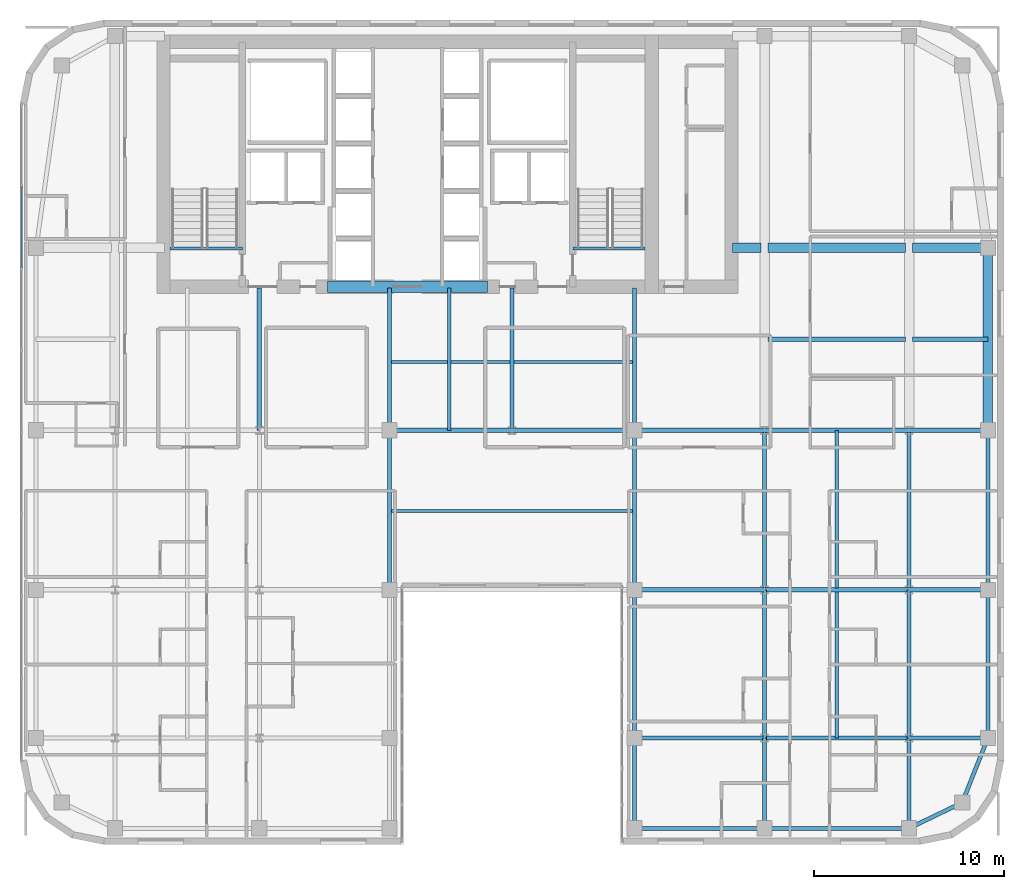
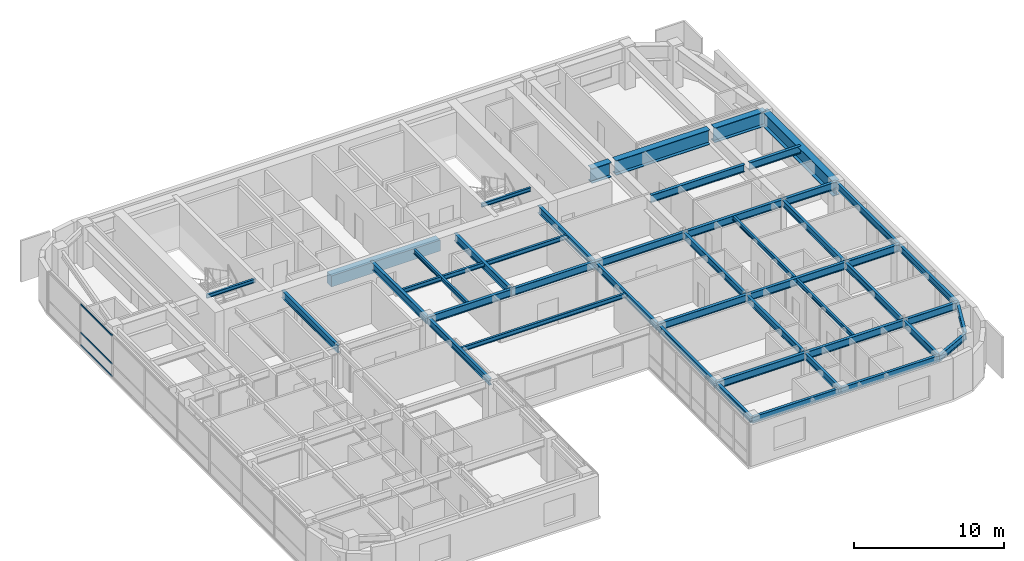
# One storey, part 12 of 24: 45 beams, 3 members, 1 element without a shape of its own.
"""IFC4 building model written with IfcOpenShell, lengths in metres."""

from ifc_helpers import new_model, si_unit, direction, frame, origin, origin_2d, place, context, subcontext, project, spatial, rectangle, hollow_rectangle, i_section, extrude, source, transform, mapped, material, layer, layer_set, material_profile, profile_set, type_object, type_shapes, element, aggregate, save


model = new_model("IFC4")

# Units and contexts
model_context = context("Model", 3, precision=1e-05, world=origin(), true_north=direction((0.0, 1.0)))
body_context = subcontext(model_context, "Body", "Model", "MODEL_VIEW")
ifc_project = project(units=[si_unit("LENGTHUNIT", "METRE"), si_unit("AREAUNIT", "SQUARE_METRE"), si_unit("VOLUMEUNIT", "CUBIC_METRE"), si_unit("PLANEANGLEUNIT", "RADIAN"), si_unit("MASSUNIT", "GRAM", prefix="KILO")], contexts=[model_context])

# Site, building, storey
site_placement = place(None, origin())
site = spatial("IfcSite", under=ifc_project, at=site_placement, CompositionType="ELEMENT")
building_placement = place(site_placement, origin())
building = spatial("IfcBuilding", under=site, at=building_placement, Name="Tolvann Quenvar Hotel", CompositionType="ELEMENT")
storey_placement = place(building_placement, frame((0.0, 0.0, 157.699951171875)))
storey = spatial("IfcBuildingStorey", under=building, at=storey_placement, Name="L41", CompositionType="ELEMENT", Elevation=157.699951171875)

# Beams
ifc_material_1 = material(Name="Concrete N50 (50 MPa)", Category="concrete")
ifc_material_profile_1 = material_profile(ifc_material_1, rectangle(XDim=0.60009765625, YDim=0.89990234375, at=origin_2d()), Name="RC600x900")
ifc_profile_set_1 = profile_set([ifc_material_profile_1], Name="Concrete N50 (50 MPa)")
beam_type_1 = type_object("IfcBeamType", Name="BM_LINT_RC600x900", PredefinedType="LINTEL", material=ifc_profile_set_1)
shared_shape_1 = source(origin(), body_context, "Body", "SweptSolid", [
    extrude(rectangle(XDim=0.60009765625, YDim=0.89990234375, at=origin_2d()), origin(), (0.0, 0.0, 1.0), 8.39990234375),
])
type_shapes(beam_type_1, [shared_shape_1])
beam_1_placement = place(storey_placement, frame((18.800048828125, 31.949951171875, 2.920166015625), z_axis=(1.0, 0.0, 0.0), x_axis=(0.0, 1.0, 0.0)))
element("IfcBeam", 1, at=beam_1_placement, inside=storey, type_object=beam_type_1, Name="Core Coupling Lintel Beam (L41)", PredefinedType="LINTEL", context=body_context, shape_type="MappedRepresentation", body=[
    mapped(shared_shape_1, transform((0.0, 0.0, 0.0), x_axis=(1.0, 0.0, 0.0), y_axis=(0.0, 1.0, 0.0), z_axis=(0.0, 0.0, 1.0), scale=1.0)),
])
ifc_material_2 = material(Name="Steel Grade 350", Category="steel")
ifc_material_profile_2 = material_profile(ifc_material_2, i_section(OverallWidth=0.5, OverallDepth=1.199951171875, WebThickness=0.01611328125, FlangeThickness=0.0400390625, at=origin_2d()), Name="1200WB455")
ifc_profile_set_2 = profile_set([ifc_material_profile_2], Name="Steel Grade 350")
beam_type_2 = type_object("IfcBeamType", Name="BM_TG_1200WB455", PredefinedType="USERDEFINED", material=ifc_profile_set_2)
shared_shape_2 = source(origin(), body_context, "Body", "SweptSolid", [
    extrude(i_section(OverallWidth=0.5, OverallDepth=1.199951171875, WebThickness=0.01611328125, FlangeThickness=0.0400390625, at=origin_2d()), origin(), (0.0, 0.0, 1.0), 9.60009765625),
])
beam_2_placement = place(storey_placement, frame((53.550048828125, 24.39990234375, 2.77001953125), z_axis=(0.0, 1.0, 0.0), x_axis=(-1.0, 0.0, 0.0)))
element("IfcBeam", 2, at=beam_2_placement, inside=storey, type_object=beam_type_2, Name="BM-L41-FLK-E1", ObjectType="TRANSFER GIRDER", PredefinedType="USERDEFINED", context=body_context, shape_type="MappedRepresentation", body=[
    mapped(shared_shape_2, transform((0.0, 0.0, 0.0), x_axis=(1.0, 0.0, 0.0), y_axis=(0.0, 1.0, 0.0), z_axis=(0.0, 0.0, 1.0), scale=1.0)),
])
ifc_material_profile_3 = material_profile(ifc_material_2, i_section(OverallWidth=0.208984375, OverallDepth=0.528076171875, WebThickness=0.009521484375, FlangeThickness=0.01318359375, FilletRadius=0.013916015625, at=origin_2d()), Name="530UB82")
ifc_profile_set_3 = profile_set([ifc_material_profile_3], Name="Steel Grade 350")
beam_type_3 = type_object("IfcBeamType", Name="BM_SPAND_530UB82", PredefinedType="SPANDREL", material=ifc_profile_set_3)
shared_shape_3 = source(origin(), body_context, "Body", "SweptSolid", [
    extrude(i_section(OverallWidth=0.208984375, OverallDepth=0.528076171875, WebThickness=0.009521484375, FlangeThickness=0.01318359375, FilletRadius=0.013916015625, at=origin_2d()), origin(), (0.0, 0.0, 1.0), 7.599853515625),
])
beam_3_placement = place(storey_placement, frame((41.800048828125, 3.449951171875, 3.10595703125), z_axis=(1.0, 0.0, 0.0), x_axis=(0.0, 1.0, 0.0)))
element("IfcBeam", 3, at=beam_3_placement, inside=storey, type_object=beam_type_3, Name="BM-L41-EW-2-H2-I2", PredefinedType="SPANDREL", context=body_context, shape_type="MappedRepresentation", body=[
    mapped(shared_shape_3, transform((0.0, 0.0, 0.0), x_axis=(1.0, 0.0, 0.0), y_axis=(0.0, 1.0, 0.0), z_axis=(0.0, 0.0, 1.0), scale=1.0)),
])
shared_shape_4 = source(origin(), body_context, "Body", "SweptSolid", [
    extrude(i_section(OverallWidth=0.208984375, OverallDepth=0.528076171875, WebThickness=0.009521484375, FlangeThickness=0.01318359375, FilletRadius=0.013916015625, at=origin_2d()), origin(), (0.0, 0.0, 1.0), 6.85009765625),
])
beam_4_placement = place(storey_placement, frame((34.949951171875, 3.449951171875, 3.10595703125), z_axis=(1.0, 0.0, 0.0), x_axis=(0.0, 1.0, 0.0)))
element("IfcBeam", 4, at=beam_4_placement, inside=storey, type_object=beam_type_3, Name="BM-L41-EW-2-F2-H2", PredefinedType="SPANDREL", context=body_context, shape_type="MappedRepresentation", body=[
    mapped(shared_shape_4, transform((0.0, 0.0, 0.0), x_axis=(1.0, 0.0, 0.0), y_axis=(0.0, 1.0, 0.0), z_axis=(0.0, 0.0, 1.0), scale=1.0)),
])
shared_shape_5 = source(origin(), body_context, "Body", "SweptSolid", [
    extrude(i_section(OverallWidth=0.208984375, OverallDepth=0.528076171875, WebThickness=0.009521484375, FlangeThickness=0.01318359375, FilletRadius=0.013916015625, at=origin_2d()), origin(), (0.0, 0.0, 1.0), 7.800048828125),
])
beam_5_placement = place(storey_placement, frame((53.550048828125, 8.199951171875, 3.10595703125), z_axis=(0.0, 1.0, 0.0), x_axis=(-1.0, 0.0, 0.0)))
element("IfcBeam", 5, at=beam_5_placement, inside=storey, type_object=beam_type_3, Name="BM-L41-NS-J3-J4", PredefinedType="SPANDREL", context=body_context, shape_type="MappedRepresentation", body=[
    mapped(shared_shape_5, transform((0.0, 0.0, 0.0), x_axis=(1.0, 0.0, 0.0), y_axis=(0.0, 1.0, 0.0), z_axis=(0.0, 0.0, 1.0), scale=1.0)),
])
shared_shape_6 = source(origin(), body_context, "Body", "SweptSolid", [
    extrude(i_section(OverallWidth=0.208984375, OverallDepth=0.528076171875, WebThickness=0.009521484375, FlangeThickness=0.01318359375, FilletRadius=0.013916015625, at=origin_2d()), origin(), (0.0, 0.0, 1.0), 8.39990234375),
])
beam_6_placement = place(storey_placement, frame((53.550048828125, 16.0, 3.10595703125), z_axis=(0.0, 1.0, 0.0), x_axis=(-1.0, 0.0, 0.0)))
element("IfcBeam", 6, at=beam_6_placement, inside=storey, type_object=beam_type_3, Name="BM-L41-NS-J4-J5", PredefinedType="SPANDREL", context=body_context, shape_type="MappedRepresentation", body=[
    mapped(shared_shape_6, transform((0.0, 0.0, 0.0), x_axis=(1.0, 0.0, 0.0), y_axis=(0.0, 1.0, 0.0), z_axis=(0.0, 0.0, 1.0), scale=1.0)),
])
ifc_material_profile_4 = material_profile(ifc_material_2, i_section(OverallWidth=0.208984375, OverallDepth=0.532958984375, WebThickness=0.01025390625, FlangeThickness=0.015625, FilletRadius=0.013916015625, at=origin_2d()), Name="530UB92")
ifc_profile_set_4 = profile_set([ifc_material_profile_4], Name="Steel Grade 350")
beam_type_4 = type_object("IfcBeamType", Name="BM_GIRD_530UB92", PredefinedType="BEAM", material=ifc_profile_set_4)
shared_shape_7 = source(origin(), body_context, "Body", "SweptSolid", [
    extrude(i_section(OverallWidth=0.208984375, OverallDepth=0.532958984375, WebThickness=0.01025390625, FlangeThickness=0.015625, FilletRadius=0.013916015625, at=origin_2d()), origin(), (0.0, 0.0, 1.0), 7.800048828125),
])
for number, where, z_axis, x_axis, name in (
    (7, (34.949951171875, 8.199951171875, 3.103515625), (0.0, 1.0, 0.0), (-1.0, 0.0, 0.0), "BM-L41-NS-F3-F4"),
    (8, (41.800048828125, 8.199951171875, 3.103515625), (0.0, 1.0, 0.0), (-1.0, 0.0, 0.0), "BM-L41-NS-H3-H4"),
    (9, (49.39990234375, 8.199951171875, 3.103515625), (0.0, 1.0, 0.0), (-1.0, 0.0, 0.0), "BM-L41-NS-I3-I4"),
):
    element("IfcBeam", number, at=place(storey_placement, frame(where, z_axis=z_axis, x_axis=x_axis)), inside=storey, type_object=beam_type_4, Name=name, PredefinedType="BEAM", context=body_context, shape_type="MappedRepresentation", body=[
        mapped(shared_shape_7, transform((0.0, 0.0, 0.0), x_axis=(1.0, 0.0, 0.0), y_axis=(0.0, 1.0, 0.0), z_axis=(0.0, 0.0, 1.0), scale=1.0)),
    ])
shared_shape_8 = source(origin(), body_context, "Body", "SweptSolid", [
    extrude(i_section(OverallWidth=0.208984375, OverallDepth=0.532958984375, WebThickness=0.01025390625, FlangeThickness=0.015625, FilletRadius=0.013916015625, at=origin_2d()), origin(), (0.0, 0.0, 1.0), 8.39990234375),
])
for number, where, z_axis, x_axis, name in (
    (10, (22.050048828125, 16.0, 3.103515625), (0.0, 1.0, 0.0), (-1.0, 0.0, 0.0), "BM-L41-NS-E4-E5"),
    (11, (34.949951171875, 16.0, 3.103515625), (0.0, 1.0, 0.0), (-1.0, 0.0, 0.0), "BM-L41-NS-F4-F5"),
    (12, (41.800048828125, 16.0, 3.103515625), (0.0, 1.0, 0.0), (-1.0, 0.0, 0.0), "BM-L41-NS-H4-H5"),
    (13, (49.39990234375, 16.0, 3.103515625), (0.0, 1.0, 0.0), (-1.0, 0.0, 0.0), "BM-L41-NS-I4-I5"),
):
    element("IfcBeam", number, at=place(storey_placement, frame(where, z_axis=z_axis, x_axis=x_axis)), inside=storey, type_object=beam_type_4, Name=name, PredefinedType="BEAM", context=body_context, shape_type="MappedRepresentation", body=[
        mapped(shared_shape_8, transform((0.0, 0.0, 0.0), x_axis=(1.0, 0.0, 0.0), y_axis=(0.0, 1.0, 0.0), z_axis=(0.0, 0.0, 1.0), scale=1.0)),
    ])
shared_shape_9 = source(origin(), body_context, "Body", "SweptSolid", [
    extrude(i_section(OverallWidth=0.5, OverallDepth=1.199951171875, WebThickness=0.01611328125, FlangeThickness=0.0400390625, at=origin_2d()), origin(), (0.0, 0.0, 1.0), 1.52001953125),
])
beam_7_placement = place(storey_placement, frame((40.10009765625, 34.0, 2.77001953125), z_axis=(1.0, 0.0, 0.0), x_axis=(0.0, 1.0, 0.0)))
element("IfcBeam", 14, at=beam_7_placement, inside=storey, type_object=beam_type_2, Name="BM-L41-CTE-JD6A", ObjectType="TRANSFER GIRDER", PredefinedType="USERDEFINED", context=body_context, shape_type="MappedRepresentation", body=[
    mapped(shared_shape_9, transform((0.0, 0.0, 0.0), x_axis=(1.0, 0.0, 0.0), y_axis=(0.0, 1.0, 0.0), z_axis=(0.0, 0.0, 1.0), scale=1.0)),
])
shared_shape_10 = source(origin(), body_context, "Body", "SweptSolid", [
    extrude(i_section(OverallWidth=0.5, OverallDepth=1.199951171875, WebThickness=0.01611328125, FlangeThickness=0.0400390625, at=origin_2d()), origin(), (0.0, 0.0, 1.0), 7.239990234375),
])
beam_8_placement = place(storey_placement, frame((41.97998046875, 34.0, 2.77001953125), z_axis=(1.0, 0.0, 0.0), x_axis=(0.0, 1.0, 0.0)))
element("IfcBeam", 15, at=beam_8_placement, inside=storey, type_object=beam_type_2, Name="BM-L41-CTE-JD6B", ObjectType="TRANSFER GIRDER", PredefinedType="USERDEFINED", context=body_context, shape_type="MappedRepresentation", body=[
    mapped(shared_shape_10, transform((0.0, 0.0, 0.0), x_axis=(1.0, 0.0, 0.0), y_axis=(0.0, 1.0, 0.0), z_axis=(0.0, 0.0, 1.0), scale=1.0)),
])
ifc_material_profile_5 = material_profile(ifc_material_2, i_section(OverallWidth=0.166015625, OverallDepth=0.306884765625, WebThickness=0.006591796875, FlangeThickness=0.01171875, FilletRadius=0.011474609375, at=origin_2d()), Name="310UB46")
ifc_profile_set_5 = profile_set([ifc_material_profile_5], Name="Steel Grade 350")
beam_type_5 = type_object("IfcBeamType", Name="BM_JOIST_310UB46", PredefinedType="JOIST", material=ifc_profile_set_5)
shared_shape_11 = source(origin(), body_context, "Body", "SweptSolid", [
    extrude(i_section(OverallWidth=0.166015625, OverallDepth=0.306884765625, WebThickness=0.006591796875, FlangeThickness=0.01171875, FilletRadius=0.011474609375, at=origin_2d()), origin(), (0.0, 0.0, 1.0), 3.800048828125),
])
type_shapes(beam_type_5, [shared_shape_11])
for number, where, z_axis, x_axis, name in (
    (16, (10.5, 33.97998046875, 3.216552734375), (1.0, 0.0, 0.0), (0.0, 1.0, 0.0), "BM-HDR-STC1-L42"),
    (17, (31.699951171875, 33.97998046875, 3.216552734375), (1.0, 0.0, 0.0), (0.0, 1.0, 0.0), "BM-HDR-STC2-L42"),
):
    element("IfcBeam", number, at=place(storey_placement, frame(where, z_axis=z_axis, x_axis=x_axis)), inside=storey, type_object=beam_type_5, Name=name, PredefinedType="JOIST", context=body_context, shape_type="MappedRepresentation", body=[
        mapped(shared_shape_11, transform((0.0, 0.0, 0.0), x_axis=(1.0, 0.0, 0.0), y_axis=(0.0, 1.0, 0.0), z_axis=(0.0, 0.0, 1.0), scale=1.0)),
    ])
shared_shape_12 = source(origin(), body_context, "Body", "SweptSolid", [
    extrude(i_section(OverallWidth=0.5, OverallDepth=1.199951171875, WebThickness=0.01611328125, FlangeThickness=0.0400390625, at=origin_2d()), origin(), (0.0, 0.0, 1.0), 3.969970703125),
])
type_shapes(beam_type_2, [shared_shape_2, shared_shape_9, shared_shape_10, shared_shape_12])
beam_9_placement = place(storey_placement, frame((49.580078125, 34.0, 2.77001953125), z_axis=(1.0, 0.0, 0.0), x_axis=(0.0, 1.0, 0.0)))
element("IfcBeam", 18, at=beam_9_placement, inside=storey, type_object=beam_type_2, Name="BM-L41-CTE-JD6C", ObjectType="TRANSFER GIRDER", PredefinedType="USERDEFINED", context=body_context, shape_type="MappedRepresentation", body=[
    mapped(shared_shape_12, transform((0.0, 0.0, 0.0), x_axis=(1.0, 0.0, 0.0), y_axis=(0.0, 1.0, 0.0), z_axis=(0.0, 0.0, 1.0), scale=1.0)),
])
ifc_material_profile_6 = material_profile(ifc_material_2, i_section(OverallWidth=0.172119140625, OverallDepth=0.35888671875, WebThickness=0.008056640625, FlangeThickness=0.012939453125, FilletRadius=0.011474609375, at=origin_2d()), Name="360UB57")
ifc_profile_set_6 = profile_set([ifc_material_profile_6], Name="Steel Grade 350")
beam_type_6 = type_object("IfcBeamType", Name="BM_JOIST_360UB57", PredefinedType="JOIST", material=ifc_profile_set_6)
shared_shape_13 = source(origin(), body_context, "Body", "SweptSolid", [
    extrude(i_section(OverallWidth=0.172119140625, OverallDepth=0.35888671875, WebThickness=0.008056640625, FlangeThickness=0.012939453125, FilletRadius=0.011474609375, at=origin_2d()), origin(), (0.0, 0.0, 1.0), 12.89990234375),
])
for number, where, z_axis, x_axis, name in (
    (19, (22.050048828125, 20.14990234375, 3.1904296875), (1.0, 0.0, 0.0), (0.0, 1.0, 0.0), "BM-L41-SPINE-20"),
    (20, (22.050048828125, 28.0, 3.1904296875), (1.0, 0.0, 0.0), (0.0, 1.0, 0.0), "BM-L41-SPINE-28"),
):
    element("IfcBeam", number, at=place(storey_placement, frame(where, z_axis=z_axis, x_axis=x_axis)), inside=storey, type_object=beam_type_6, Name=name, PredefinedType="JOIST", context=body_context, shape_type="MappedRepresentation", body=[
        mapped(shared_shape_13, transform((0.0, 0.0, 0.0), x_axis=(1.0, 0.0, 0.0), y_axis=(0.0, 1.0, 0.0), z_axis=(0.0, 0.0, 1.0), scale=1.0)),
    ])
shared_shape_14 = source(origin(), body_context, "Body", "SweptSolid", [
    extrude(i_section(OverallWidth=0.172119140625, OverallDepth=0.35888671875, WebThickness=0.008056640625, FlangeThickness=0.012939453125, FilletRadius=0.011474609375, at=origin_2d()), origin(), (0.0, 0.0, 1.0), 7.5),
])
beam_10_placement = place(storey_placement, frame((25.199951171875, 24.39990234375, 3.1904296875), z_axis=(0.0, 1.0, 0.0), x_axis=(-1.0, 0.0, 0.0)))
element("IfcBeam", 21, at=beam_10_placement, inside=storey, type_object=beam_type_6, Name="BJ-L41-252-244", PredefinedType="JOIST", context=body_context, shape_type="MappedRepresentation", body=[
    mapped(shared_shape_14, transform((0.0, 0.0, 0.0), x_axis=(1.0, 0.0, 0.0), y_axis=(0.0, 1.0, 0.0), z_axis=(0.0, 0.0, 1.0), scale=1.0)),
])
shared_shape_15 = source(origin(), body_context, "Body", "SweptSolid", [
    extrude(i_section(OverallWidth=0.208984375, OverallDepth=0.528076171875, WebThickness=0.009521484375, FlangeThickness=0.01318359375, FilletRadius=0.013916015625, at=origin_2d()), origin(), (0.0, 0.0, 1.0), 3.108642578125),
])
beam_11_placement = place(storey_placement, frame((49.39990234375, 3.449951171875, 3.10595703125), z_axis=(0.900759354066, 0.434318530646, 0.0), x_axis=(-0.434318530646, 0.900759354066, 0.0)))
element("IfcBeam", 22, at=beam_11_placement, inside=storey, type_object=beam_type_3, Name="BM-L41-EW-2-I2-J2", PredefinedType="SPANDREL", context=body_context, shape_type="MappedRepresentation", body=[
    mapped(shared_shape_15, transform((0.0, 0.0, 0.0), x_axis=(1.0, 0.0, 0.0), y_axis=(0.0, 1.0, 0.0), z_axis=(0.0, 0.0, 1.0), scale=1.0)),
])
ifc_material_profile_7 = material_profile(ifc_material_2, i_section(OverallWidth=0.22802734375, OverallDepth=0.60205078125, WebThickness=0.010498046875, FlangeThickness=0.014892578125, FilletRadius=0.013916015625, at=origin_2d()), Name="610UB101")
ifc_profile_set_7 = profile_set([ifc_material_profile_7], Name="Steel Grade 350")
beam_type_7 = type_object("IfcBeamType", Name="BM_GIRD_610UB101", PredefinedType="BEAM", material=ifc_profile_set_7)
shared_shape_16 = source(origin(), body_context, "Body", "SweptSolid", [
    extrude(i_section(OverallWidth=0.22802734375, OverallDepth=0.60205078125, WebThickness=0.010498046875, FlangeThickness=0.014892578125, FilletRadius=0.013916015625, at=origin_2d()), origin(), (0.0, 0.0, 1.0), 4.150146484375),
])
for number, where, z_axis, x_axis, name in (
    (23, (49.39990234375, 8.199951171875, 3.069091796875), (1.0, 0.0, 0.0), (0.0, 1.0, 0.0), "BM-L41-EW-3-I3-J3"),
    (24, (49.39990234375, 16.0, 3.069091796875), (1.0, 0.0, 0.0), (0.0, 1.0, 0.0), "BM-L41-EW-4-I4-J4"),
    (25, (49.39990234375, 24.39990234375, 3.069091796875), (1.0, 0.0, 0.0), (0.0, 1.0, 0.0), "BM-L41-EW-5-I5-J5"),
):
    element("IfcBeam", number, at=place(storey_placement, frame(where, z_axis=z_axis, x_axis=x_axis)), inside=storey, type_object=beam_type_7, Name=name, PredefinedType="BEAM", context=body_context, shape_type="MappedRepresentation", body=[
        mapped(shared_shape_16, transform((0.0, 0.0, 0.0), x_axis=(1.0, 0.0, 0.0), y_axis=(0.0, 1.0, 0.0), z_axis=(0.0, 0.0, 1.0), scale=1.0)),
    ])
shared_shape_17 = source(origin(), body_context, "Body", "SweptSolid", [
    extrude(i_section(OverallWidth=0.22802734375, OverallDepth=0.60205078125, WebThickness=0.010498046875, FlangeThickness=0.014892578125, FilletRadius=0.013916015625, at=origin_2d()), origin(), (0.0, 0.0, 1.0), 7.599853515625),
])
for number, where, z_axis, x_axis, name in (
    (26, (41.800048828125, 8.199951171875, 3.069091796875), (1.0, 0.0, 0.0), (0.0, 1.0, 0.0), "BM-L41-EW-3-H3-I3"),
    (27, (41.800048828125, 16.0, 3.069091796875), (1.0, 0.0, 0.0), (0.0, 1.0, 0.0), "BM-L41-EW-4-H4-I4"),
    (28, (41.800048828125, 24.39990234375, 3.069091796875), (1.0, 0.0, 0.0), (0.0, 1.0, 0.0), "BM-L41-EW-5-H5-I5"),
):
    element("IfcBeam", number, at=place(storey_placement, frame(where, z_axis=z_axis, x_axis=x_axis)), inside=storey, type_object=beam_type_7, Name=name, PredefinedType="BEAM", context=body_context, shape_type="MappedRepresentation", body=[
        mapped(shared_shape_17, transform((0.0, 0.0, 0.0), x_axis=(1.0, 0.0, 0.0), y_axis=(0.0, 1.0, 0.0), z_axis=(0.0, 0.0, 1.0), scale=1.0)),
    ])
shared_shape_18 = source(origin(), body_context, "Body", "SweptSolid", [
    extrude(i_section(OverallWidth=0.22802734375, OverallDepth=0.60205078125, WebThickness=0.010498046875, FlangeThickness=0.014892578125, FilletRadius=0.013916015625, at=origin_2d()), origin(), (0.0, 0.0, 1.0), 6.85009765625),
])
for number, where, z_axis, x_axis, name in (
    (29, (34.949951171875, 8.199951171875, 3.069091796875), (1.0, 0.0, 0.0), (0.0, 1.0, 0.0), "BM-L41-EW-3-F3-H3"),
    (30, (34.949951171875, 16.0, 3.069091796875), (1.0, 0.0, 0.0), (0.0, 1.0, 0.0), "BM-L41-EW-4-F4-H4"),
    (31, (34.949951171875, 24.39990234375, 3.069091796875), (1.0, 0.0, 0.0), (0.0, 1.0, 0.0), "BM-L41-EW-5-F5-H5"),
):
    element("IfcBeam", number, at=place(storey_placement, frame(where, z_axis=z_axis, x_axis=x_axis)), inside=storey, type_object=beam_type_7, Name=name, PredefinedType="BEAM", context=body_context, shape_type="MappedRepresentation", body=[
        mapped(shared_shape_18, transform((0.0, 0.0, 0.0), x_axis=(1.0, 0.0, 0.0), y_axis=(0.0, 1.0, 0.0), z_axis=(0.0, 0.0, 1.0), scale=1.0)),
    ])
shared_shape_19 = source(origin(), body_context, "Body", "SweptSolid", [
    extrude(i_section(OverallWidth=0.22802734375, OverallDepth=0.60205078125, WebThickness=0.010498046875, FlangeThickness=0.014892578125, FilletRadius=0.013916015625, at=origin_2d()), origin(), (0.0, 0.0, 1.0), 6.449951171875),
])
for number, where, z_axis, x_axis, name in (
    (32, (22.050048828125, 24.39990234375, 3.069091796875), (1.0, 0.0, 0.0), (0.0, 1.0, 0.0), "BM-L41-EW-5-E5-M5"),
    (33, (28.5, 24.39990234375, 3.069091796875), (1.0, 0.0, 0.0), (0.0, 1.0, 0.0), "BM-L41-EW-5-M5-F5"),
):
    element("IfcBeam", number, at=place(storey_placement, frame(where, z_axis=z_axis, x_axis=x_axis)), inside=storey, type_object=beam_type_7, Name=name, PredefinedType="BEAM", context=body_context, shape_type="MappedRepresentation", body=[
        mapped(shared_shape_19, transform((0.0, 0.0, 0.0), x_axis=(1.0, 0.0, 0.0), y_axis=(0.0, 1.0, 0.0), z_axis=(0.0, 0.0, 1.0), scale=1.0)),
    ])
shared_shape_20 = source(origin(), body_context, "Body", "SweptSolid", [
    extrude(i_section(OverallWidth=0.208984375, OverallDepth=0.528076171875, WebThickness=0.009521484375, FlangeThickness=0.01318359375, FilletRadius=0.013916015625, at=origin_2d()), origin(), (0.0, 0.0, 1.0), 3.658203125),
])
type_shapes(beam_type_3, [shared_shape_3, shared_shape_4, shared_shape_5, shared_shape_6, shared_shape_15, shared_shape_20])
beam_12_placement = place(storey_placement, frame((52.199951171875, 4.800048828125, 3.10595703125), z_axis=(0.369065163807, 0.929403521009, 0.0), x_axis=(-0.929403521009, 0.369065163807, 0.0)))
element("IfcBeam", 34, at=beam_12_placement, inside=storey, type_object=beam_type_3, Name="BM-L41-NS-J2-J3", PredefinedType="SPANDREL", context=body_context, shape_type="MappedRepresentation", body=[
    mapped(shared_shape_20, transform((0.0, 0.0, 0.0), x_axis=(1.0, 0.0, 0.0), y_axis=(0.0, 1.0, 0.0), z_axis=(0.0, 0.0, 1.0), scale=1.0)),
])
shared_shape_21 = source(origin(), body_context, "Body", "SweptSolid", [
    extrude(i_section(OverallWidth=0.208984375, OverallDepth=0.532958984375, WebThickness=0.01025390625, FlangeThickness=0.015625, FilletRadius=0.013916015625, at=origin_2d()), origin(), (0.0, 0.0, 1.0), 4.75),
])
type_shapes(beam_type_4, [shared_shape_7, shared_shape_8, shared_shape_21])
for number, where, z_axis, x_axis, name in (
    (35, (34.949951171875, 3.449951171875, 3.103515625), (0.0, 1.0, 0.0), (-1.0, 0.0, 0.0), "BM-L41-NS-F2-F3"),
    (36, (41.800048828125, 3.449951171875, 3.103515625), (0.0, 1.0, 0.0), (-1.0, 0.0, 0.0), "BM-L41-NS-H2-H3"),
    (37, (49.39990234375, 3.449951171875, 3.103515625), (0.0, 1.0, 0.0), (-1.0, 0.0, 0.0), "BM-L41-NS-I2-I3"),
):
    element("IfcBeam", number, at=place(storey_placement, frame(where, z_axis=z_axis, x_axis=x_axis)), inside=storey, type_object=beam_type_4, Name=name, PredefinedType="BEAM", context=body_context, shape_type="MappedRepresentation", body=[
        mapped(shared_shape_21, transform((0.0, 0.0, 0.0), x_axis=(1.0, 0.0, 0.0), y_axis=(0.0, 1.0, 0.0), z_axis=(0.0, 0.0, 1.0), scale=1.0)),
    ])
shared_shape_22 = source(origin(), body_context, "Body", "SweptSolid", [
    extrude(i_section(OverallWidth=0.22802734375, OverallDepth=0.60205078125, WebThickness=0.010498046875, FlangeThickness=0.014892578125, FilletRadius=0.013916015625, at=origin_2d()), origin(), (0.0, 0.0, 1.0), 7.5),
])
for number, where, z_axis, x_axis, name in (
    (38, (15.199951171875, 24.39990234375, 3.069091796875), (0.0, 1.0, 0.0), (-1.0, 0.0, 0.0), "BM-L41-CORE-D5"),
    (39, (22.050048828125, 24.39990234375, 3.069091796875), (0.0, 1.0, 0.0), (-1.0, 0.0, 0.0), "BM-L41-CORE-E5"),
    (40, (34.949951171875, 24.39990234375, 3.069091796875), (0.0, 1.0, 0.0), (-1.0, 0.0, 0.0), "BM-L41-CORE-F5"),
    (41, (28.5, 24.39990234375, 3.069091796875), (0.0, 1.0, 0.0), (-1.0, 0.0, 0.0), "BM-L41-CORE-M5"),
):
    element("IfcBeam", number, at=place(storey_placement, frame(where, z_axis=z_axis, x_axis=x_axis)), inside=storey, type_object=beam_type_7, Name=name, PredefinedType="BEAM", context=body_context, shape_type="MappedRepresentation", body=[
        mapped(shared_shape_22, transform((0.0, 0.0, 0.0), x_axis=(1.0, 0.0, 0.0), y_axis=(0.0, 1.0, 0.0), z_axis=(0.0, 0.0, 1.0), scale=1.0)),
    ])
shared_shape_23 = source(origin(), body_context, "Body", "SweptSolid", [
    extrude(i_section(OverallWidth=0.22802734375, OverallDepth=0.60205078125, WebThickness=0.010498046875, FlangeThickness=0.014892578125, FilletRadius=0.013916015625, at=origin_2d()), origin(), (0.0, 0.0, 1.0), 7.239990234375),
])
beam_13_placement = place(storey_placement, frame((41.97998046875, 29.199951171875, 3.069091796875), z_axis=(1.0, 0.0, 0.0), x_axis=(0.0, 1.0, 0.0)))
element("IfcBeam", 42, at=beam_13_placement, inside=storey, type_object=beam_type_7, Name="BM-L41-EW-HI29", PredefinedType="BEAM", context=body_context, shape_type="MappedRepresentation", body=[
    mapped(shared_shape_23, transform((0.0, 0.0, 0.0), x_axis=(1.0, 0.0, 0.0), y_axis=(0.0, 1.0, 0.0), z_axis=(0.0, 0.0, 1.0), scale=1.0)),
])
shared_shape_24 = source(origin(), body_context, "Body", "SweptSolid", [
    extrude(i_section(OverallWidth=0.22802734375, OverallDepth=0.60205078125, WebThickness=0.010498046875, FlangeThickness=0.014892578125, FilletRadius=0.013916015625, at=origin_2d()), origin(), (0.0, 0.0, 1.0), 3.969970703125),
])
type_shapes(beam_type_7, [shared_shape_16, shared_shape_17, shared_shape_18, shared_shape_19, shared_shape_22, shared_shape_23, shared_shape_24])
beam_14_placement = place(storey_placement, frame((49.580078125, 29.199951171875, 3.069091796875), z_axis=(1.0, 0.0, 0.0), x_axis=(0.0, 1.0, 0.0)))
element("IfcBeam", 43, at=beam_14_placement, inside=storey, type_object=beam_type_7, Name="BM-L41-EW-IJ29", PredefinedType="BEAM", context=body_context, shape_type="MappedRepresentation", body=[
    mapped(shared_shape_24, transform((0.0, 0.0, 0.0), x_axis=(1.0, 0.0, 0.0), y_axis=(0.0, 1.0, 0.0), z_axis=(0.0, 0.0, 1.0), scale=1.0)),
])
shared_shape_25 = source(origin(), body_context, "Body", "SweptSolid", [
    extrude(i_section(OverallWidth=0.172119140625, OverallDepth=0.35888671875, WebThickness=0.008056640625, FlangeThickness=0.012939453125, FilletRadius=0.011474609375, at=origin_2d()), origin(), (0.0, 0.0, 1.0), 7.692138671875),
])
beam_15_placement = place(storey_placement, frame((45.60009765625, 8.199951171875, 3.1904296875), z_axis=(0.0, 1.0, 0.0), x_axis=(-1.0, 0.0, 0.0)))
element("IfcBeam", 44, at=beam_15_placement, inside=storey, type_object=beam_type_6, Name="BJ-L41-456-82", PredefinedType="JOIST", context=body_context, shape_type="MappedRepresentation", body=[
    mapped(shared_shape_25, transform((0.0, 0.0, 0.0), x_axis=(1.0, 0.0, 0.0), y_axis=(0.0, 1.0, 0.0), z_axis=(0.0, 0.0, 1.0), scale=1.0)),
])
shared_shape_26 = source(origin(), body_context, "Body", "SweptSolid", [
    extrude(i_section(OverallWidth=0.172119140625, OverallDepth=0.35888671875, WebThickness=0.008056640625, FlangeThickness=0.012939453125, FilletRadius=0.011474609375, at=origin_2d()), origin(), (0.0, 0.0, 1.0), 8.2919921875),
])
type_shapes(beam_type_6, [shared_shape_13, shared_shape_14, shared_shape_25, shared_shape_26])
beam_16_placement = place(storey_placement, frame((45.60009765625, 16.10791015625, 3.1904296875), z_axis=(0.0, 1.0, 0.0), x_axis=(-1.0, 0.0, 0.0)))
element("IfcBeam", 45, at=beam_16_placement, inside=storey, type_object=beam_type_6, Name="BJ-L41-456-160", PredefinedType="JOIST", context=body_context, shape_type="MappedRepresentation", body=[
    mapped(shared_shape_26, transform((0.0, 0.0, 0.0), x_axis=(1.0, 0.0, 0.0), y_axis=(0.0, 1.0, 0.0), z_axis=(0.0, 0.0, 1.0), scale=1.0)),
])

# Curtain wall, members
ifc_material_3 = material(Name="Thermally broken anodised architectural aluminium 6063-T6 and laminated low-E glass", Category="aluminium")
ifc_layer = layer(ifc_material_3, 0.179931640625)
ifc_layer_set = layer_set([ifc_layer], Name="Thermally broken anodised architectural aluminium 6063-T6 and laminated low-E glass")
curtain_wall_type = type_object("IfcCurtainWallType", Name="CW_SYS_BAND_04", PredefinedType="USERDEFINED", material=ifc_layer_set)
curtain_wall_placement = place(storey_placement, origin())
curtain_wall = element("IfcCurtainWall", 46, at=curtain_wall_placement, inside=storey, type_object=curtain_wall_type, Name="Curtain Wall CW-BAND-04 (CWR-L41-E23)", ObjectType="UNITISED CURTAIN WALL", PredefinedType="USERDEFINED")
ifc_material_4 = material(Name="Anodised architectural aluminium 6063-T6 framing", Category="aluminium")
ifc_material_profile_8 = material_profile(ifc_material_4, hollow_rectangle(XDim=0.06005859375, YDim=0.1201171875, WallThickness=0.00341796875, at=origin_2d()), Name="120x60x3.5RHS")
ifc_profile_set_8 = profile_set([ifc_material_profile_8], Name="Anodised architectural aluminium 6063-T6 framing")
member_type = type_object("IfcMemberType", Name="CW_TRAN_120x60", PredefinedType="USERDEFINED", material=ifc_profile_set_8)
shared_shape_27 = source(origin(), body_context, "Body", "SweptSolid", [
    extrude(hollow_rectangle(XDim=0.06005859375, YDim=0.1201171875, WallThickness=0.00341796875, at=origin_2d()), origin(), (0.0, 0.0, 1.0), 4.250732421875),
])
type_shapes(member_type, [shared_shape_27])
member_1_placement = place(storey_placement, frame((2.68994140625, 37.22705078125, 0.030029296875), z_axis=(0.0, -1.0, 0.0), x_axis=(1.0, 0.0, 0.0)))
member_1 = element("IfcMember", 47, at=member_1_placement, type_object=member_type, Name="CW-BAND-04 transom 2.1", ObjectType="TRANSOM", PredefinedType="USERDEFINED", context=body_context, shape_type="MappedRepresentation", body=[
    mapped(shared_shape_27, transform((0.0, 0.0, 0.0), x_axis=(1.0, 0.0, 0.0), y_axis=(0.0, 1.0, 0.0), z_axis=(0.0, 0.0, 1.0), scale=1.0)),
])
member_2_placement = place(storey_placement, frame((2.68994140625, 37.22705078125, 1.050048828125), z_axis=(0.0, -1.0, 0.0), x_axis=(1.0, 0.0, 0.0)))
member_2 = element("IfcMember", 48, at=member_2_placement, type_object=member_type, Name="CW-BAND-04 transom 2.2", ObjectType="TRANSOM", PredefinedType="USERDEFINED", context=body_context, shape_type="MappedRepresentation", body=[
    mapped(shared_shape_27, transform((0.0, 0.0, 0.0), x_axis=(1.0, 0.0, 0.0), y_axis=(0.0, 1.0, 0.0), z_axis=(0.0, 0.0, 1.0), scale=1.0)),
])
member_3_placement = place(storey_placement, frame((2.68994140625, 37.22705078125, 3.340087890625), z_axis=(0.0, -1.0, 0.0), x_axis=(1.0, 0.0, 0.0)))
member_3 = element("IfcMember", 49, at=member_3_placement, type_object=member_type, Name="CW-BAND-04 transom 2.3", ObjectType="TRANSOM", PredefinedType="USERDEFINED", context=body_context, shape_type="MappedRepresentation", body=[
    mapped(shared_shape_27, transform((0.0, 0.0, 0.0), x_axis=(1.0, 0.0, 0.0), y_axis=(0.0, 1.0, 0.0), z_axis=(0.0, 0.0, 1.0), scale=1.0)),
])
aggregate(curtain_wall, [member_1, member_2, member_3])

save(model, "model.ifc")
